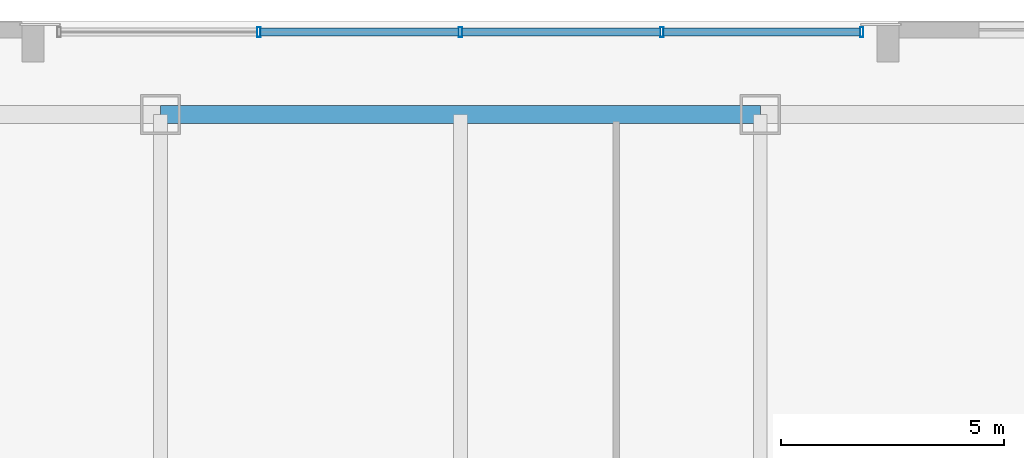
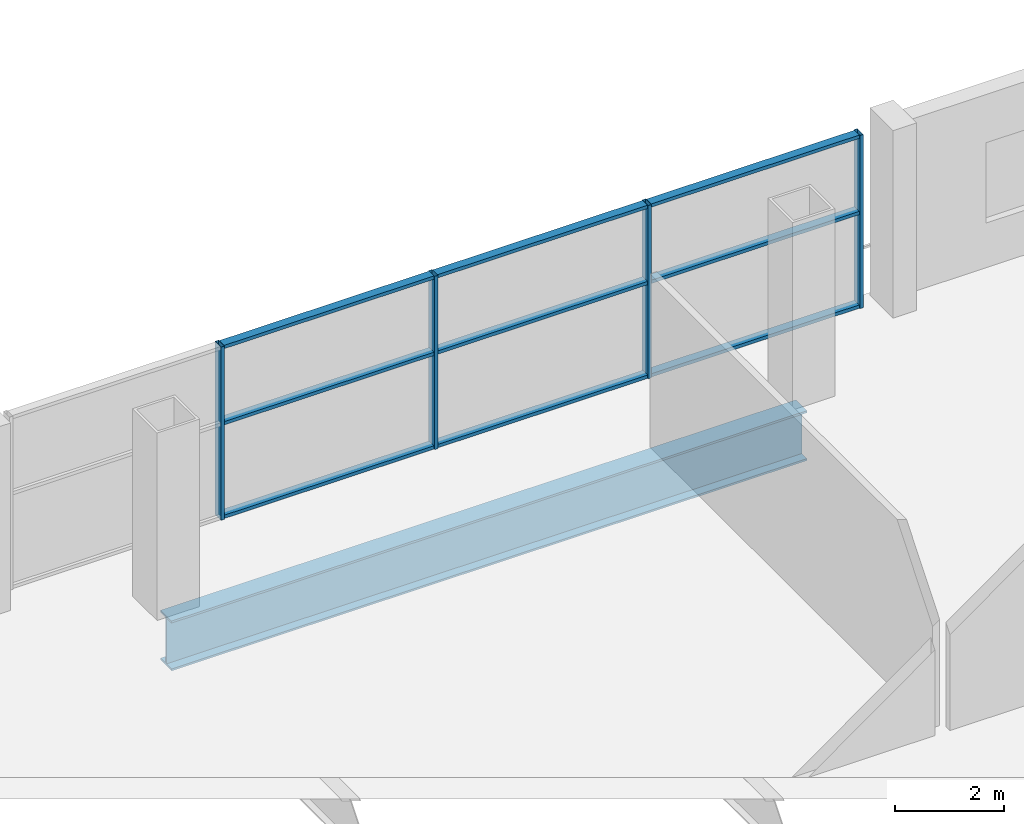
# One storey, part 10 of 21: 13 members, 1 beam, 1 element without a shape of its own.
"""IFC4 building model written with IfcOpenShell, lengths in metres."""

from ifc_helpers import new_model, si_unit, direction, frame, origin, origin_2d, place, context, subcontext, project, spatial, hollow_rectangle, i_section, extrude, material, layer, layer_set, material_profile, profile_set, type_object, element, aggregate, save


model = new_model("IFC4")

# Units and contexts
model_context = context("Model", 3, precision=1e-05, world=origin(), true_north=direction((0.0, 1.0)))
body_context = subcontext(model_context, "Body", "Model", "MODEL_VIEW")
ifc_project = project(units=[si_unit("LENGTHUNIT", "METRE"), si_unit("AREAUNIT", "SQUARE_METRE"), si_unit("VOLUMEUNIT", "CUBIC_METRE"), si_unit("PLANEANGLEUNIT", "RADIAN"), si_unit("MASSUNIT", "GRAM", prefix="KILO")], contexts=[model_context])

# Site, building, storey
site_placement = place(None, origin())
site = spatial("IfcSite", under=ifc_project, at=site_placement, CompositionType="ELEMENT")
building_placement = place(site_placement, origin())
building = spatial("IfcBuilding", under=site, at=building_placement, Name="Qhalaya Broadcast Tower", CompositionType="ELEMENT")
storey_placement = place(building_placement, frame((0.0, 0.0, 9.300048828125)))
storey = spatial("IfcBuildingStorey", under=building, at=storey_placement, Name="L02", CompositionType="ELEMENT", Elevation=9.300048828125)

# Beam
ifc_material_1 = material(Name="Structural Steel ASTM A992 Grade 50", Category="steel")
ifc_material_profile_1 = material_profile(ifc_material_1, i_section(OverallWidth=0.404052734375, OverallDepth=1.117919921875, WebThickness=0.026123046875, FlangeThickness=0.044921875, at=origin_2d()), Name="W44X335")
ifc_profile_set_1 = profile_set([ifc_material_profile_1], Name="Structural Steel ASTM A992 Grade 50")
beam_type = type_object("IfcBeamType", Name="Podium Long-Span Primary Girder PG1", PredefinedType="USERDEFINED", material=ifc_profile_set_1)
beam_placement = place(storey_placement, frame((6.7333984375, 25.89990234375, -0.879150390625), z_axis=(-1.0, 0.0, 0.0), x_axis=(0.0, -1.0, 0.0)))
element("IfcBeam", 1, at=beam_placement, inside=storey, type_object=beam_type, Name="L02 PG1 L02-PG-R10", ObjectType="GIRDER", PredefinedType="USERDEFINED", context=body_context, shape_type="SweptSolid", body=[
    extrude(i_section(OverallWidth=0.404052734375, OverallDepth=1.117919921875, WebThickness=0.026123046875, FlangeThickness=0.044921875, at=origin_2d()), origin(), (0.0, 0.0, 1.0), 13.466796875),
])

# Curtain wall, members
ifc_material_2 = material(Name="Solar-Control Low-E Triple Glazing", Category="glass")
ifc_layer = layer(ifc_material_2, 0.219970703125, Name="Solar-Control Low-E Triple Glazing")
ifc_layer_set = layer_set([ifc_layer], Name="Solar-Control Low-E Triple Glazing")
curtain_wall_type = type_object("IfcCurtainWallType", Name="Podium Concourse Triple-Height Glazed Portal CW-01", PredefinedType="NOTDEFINED", material=ifc_layer_set)
curtain_wall_placement = place(storey_placement, origin())
curtain_wall = element("IfcCurtainWall", 2, at=curtain_wall_placement, inside=storey, type_object=curtain_wall_type, Name="L02 Unitised Curtain Wall L02-CW01-N", PredefinedType="NOTDEFINED")
ifc_material_3 = material(Name="Anodised Aluminium 6063-T6", Category="aluminium")
ifc_material_profile_2 = material_profile(ifc_material_3, hollow_rectangle(XDim=0.074951171875, YDim=0.219970703125, WallThickness=0.00390625, at=origin_2d()), Name="ALU-MUL 75x220x4")
ifc_profile_set_2 = profile_set([ifc_material_profile_2], Name="Anodised Aluminium 6063-T6")
member_type_1 = type_object("IfcMemberType", Name="Unitised Curtain-Wall Mullion M01", PredefinedType="MULLION", material=ifc_profile_set_2)
member_1_placement = place(storey_placement, frame((9.012451171875, 27.75, 0.0), z_axis=(0.0, 0.0, 1.0), x_axis=(-1.0, 0.0, 0.0)))
member_1 = element("IfcMember", 3, at=member_1_placement, type_object=member_type_1, Name="CW-01 mullion 1", PredefinedType="MULLION", context=body_context, shape_type="SweptSolid", body=[
    extrude(hollow_rectangle(XDim=0.074951171875, YDim=0.219970703125, WallThickness=0.00390625, at=origin_2d()), origin(), (0.0, 0.0, 1.0), 3.8798828125),
])
member_2_placement = place(storey_placement, frame((4.52490234375, 27.75, 0.0), z_axis=(0.0, 0.0, 1.0), x_axis=(-1.0, 0.0, 0.0)))
member_2 = element("IfcMember", 4, at=member_2_placement, type_object=member_type_1, Name="CW-01 mullion 2", PredefinedType="MULLION", context=body_context, shape_type="SweptSolid", body=[
    extrude(hollow_rectangle(XDim=0.074951171875, YDim=0.219970703125, WallThickness=0.00390625, at=origin_2d()), origin(), (0.0, 0.0, 1.0), 3.8798828125),
])
member_3_placement = place(storey_placement, frame((0.0, 27.75, 0.0), z_axis=(0.0, 0.0, 1.0), x_axis=(-1.0, 0.0, 0.0)))
member_3 = element("IfcMember", 5, at=member_3_placement, type_object=member_type_1, Name="CW-01 mullion 3", PredefinedType="MULLION", context=body_context, shape_type="SweptSolid", body=[
    extrude(hollow_rectangle(XDim=0.074951171875, YDim=0.219970703125, WallThickness=0.00390625, at=origin_2d()), origin(), (0.0, 0.0, 1.0), 3.8798828125),
])
member_4_placement = place(storey_placement, frame((-4.52490234375, 27.75, 0.0), z_axis=(0.0, 0.0, 1.0), x_axis=(-1.0, 0.0, 0.0)))
member_4 = element("IfcMember", 6, at=member_4_placement, type_object=member_type_1, Name="CW-01 mullion 4", PredefinedType="MULLION", context=body_context, shape_type="SweptSolid", body=[
    extrude(hollow_rectangle(XDim=0.074951171875, YDim=0.219970703125, WallThickness=0.00390625, at=origin_2d()), origin(), (0.0, 0.0, 1.0), 3.8798828125),
])
ifc_material_profile_3 = material_profile(ifc_material_3, hollow_rectangle(XDim=0.074951171875, YDim=0.179931640625, WallThickness=0.00390625, at=origin_2d()), Name="ALU-TRN 75x180x4")
ifc_profile_set_3 = profile_set([ifc_material_profile_3], Name="Anodised Aluminium 6063-T6")
member_type_2 = type_object("IfcMemberType", Name="Unitised Curtain-Wall Transom T01", PredefinedType="USERDEFINED", material=ifc_profile_set_3)
member_5_placement = place(storey_placement, frame((8.97509765625, 27.75, 0.037353515625), z_axis=(-1.0, 0.0, 0.0), x_axis=(0.0, 0.0, 1.0)))
member_5 = element("IfcMember", 7, at=member_5_placement, type_object=member_type_2, Name="CW-01 transom 1.1", ObjectType="TRANSOM", PredefinedType="USERDEFINED", context=body_context, shape_type="SweptSolid", body=[
    extrude(hollow_rectangle(XDim=0.074951171875, YDim=0.179931640625, WallThickness=0.00390625, at=origin_2d()), origin(), (0.0, 0.0, 1.0), 4.41259765625),
])
member_6_placement = place(storey_placement, frame((8.97509765625, 27.75, 2.134033203125), z_axis=(-1.0, 0.0, 0.0), x_axis=(0.0, 0.0, 1.0)))
member_6 = element("IfcMember", 8, at=member_6_placement, type_object=member_type_2, Name="CW-01 transom 1.2", ObjectType="TRANSOM", PredefinedType="USERDEFINED", context=body_context, shape_type="SweptSolid", body=[
    extrude(hollow_rectangle(XDim=0.074951171875, YDim=0.179931640625, WallThickness=0.00390625, at=origin_2d()), origin(), (0.0, 0.0, 1.0), 4.41259765625),
])
member_7_placement = place(storey_placement, frame((8.97509765625, 27.75, 3.842529296875), z_axis=(-1.0, 0.0, 0.0), x_axis=(0.0, 0.0, 1.0)))
member_7 = element("IfcMember", 9, at=member_7_placement, type_object=member_type_2, Name="CW-01 transom 1.3", ObjectType="TRANSOM", PredefinedType="USERDEFINED", context=body_context, shape_type="SweptSolid", body=[
    extrude(hollow_rectangle(XDim=0.074951171875, YDim=0.179931640625, WallThickness=0.00390625, at=origin_2d()), origin(), (0.0, 0.0, 1.0), 4.41259765625),
])
member_8_placement = place(storey_placement, frame((4.487548828125, 27.75, 0.037353515625), z_axis=(-1.0, 0.0, 0.0), x_axis=(0.0, 0.0, 1.0)))
member_8 = element("IfcMember", 10, at=member_8_placement, type_object=member_type_2, Name="CW-01 transom 2.1", ObjectType="TRANSOM", PredefinedType="USERDEFINED", context=body_context, shape_type="SweptSolid", body=[
    extrude(hollow_rectangle(XDim=0.074951171875, YDim=0.179931640625, WallThickness=0.00390625, at=origin_2d()), origin(), (0.0, 0.0, 1.0), 4.449951171875),
])
member_9_placement = place(storey_placement, frame((4.487548828125, 27.75, 2.134033203125), z_axis=(-1.0, 0.0, 0.0), x_axis=(0.0, 0.0, 1.0)))
member_9 = element("IfcMember", 11, at=member_9_placement, type_object=member_type_2, Name="CW-01 transom 2.2", ObjectType="TRANSOM", PredefinedType="USERDEFINED", context=body_context, shape_type="SweptSolid", body=[
    extrude(hollow_rectangle(XDim=0.074951171875, YDim=0.179931640625, WallThickness=0.00390625, at=origin_2d()), origin(), (0.0, 0.0, 1.0), 4.449951171875),
])
member_10_placement = place(storey_placement, frame((4.487548828125, 27.75, 3.842529296875), z_axis=(-1.0, 0.0, 0.0), x_axis=(0.0, 0.0, 1.0)))
member_10 = element("IfcMember", 12, at=member_10_placement, type_object=member_type_2, Name="CW-01 transom 2.3", ObjectType="TRANSOM", PredefinedType="USERDEFINED", context=body_context, shape_type="SweptSolid", body=[
    extrude(hollow_rectangle(XDim=0.074951171875, YDim=0.179931640625, WallThickness=0.00390625, at=origin_2d()), origin(), (0.0, 0.0, 1.0), 4.449951171875),
])
member_11_placement = place(storey_placement, frame((-0.03759765625, 27.75, 0.037353515625), z_axis=(-1.0, 0.0, 0.0), x_axis=(0.0, 0.0, 1.0)))
member_11 = element("IfcMember", 13, at=member_11_placement, type_object=member_type_2, Name="CW-01 transom 3.1", ObjectType="TRANSOM", PredefinedType="USERDEFINED", context=body_context, shape_type="SweptSolid", body=[
    extrude(hollow_rectangle(XDim=0.074951171875, YDim=0.179931640625, WallThickness=0.00390625, at=origin_2d()), origin(), (0.0, 0.0, 1.0), 4.449951171875),
])
member_12_placement = place(storey_placement, frame((-0.03759765625, 27.75, 2.134033203125), z_axis=(-1.0, 0.0, 0.0), x_axis=(0.0, 0.0, 1.0)))
member_12 = element("IfcMember", 14, at=member_12_placement, type_object=member_type_2, Name="CW-01 transom 3.2", ObjectType="TRANSOM", PredefinedType="USERDEFINED", context=body_context, shape_type="SweptSolid", body=[
    extrude(hollow_rectangle(XDim=0.074951171875, YDim=0.179931640625, WallThickness=0.00390625, at=origin_2d()), origin(), (0.0, 0.0, 1.0), 4.449951171875),
])
member_13_placement = place(storey_placement, frame((-0.03759765625, 27.75, 3.842529296875), z_axis=(-1.0, 0.0, 0.0), x_axis=(0.0, 0.0, 1.0)))
member_13 = element("IfcMember", 15, at=member_13_placement, type_object=member_type_2, Name="CW-01 transom 3.3", ObjectType="TRANSOM", PredefinedType="USERDEFINED", context=body_context, shape_type="SweptSolid", body=[
    extrude(hollow_rectangle(XDim=0.074951171875, YDim=0.179931640625, WallThickness=0.00390625, at=origin_2d()), origin(), (0.0, 0.0, 1.0), 4.449951171875),
])
aggregate(curtain_wall, [member_1, member_2, member_3, member_4, member_5, member_6, member_7, member_8, member_9, member_10, member_11, member_12, member_13])

save(model, "model.ifc")
